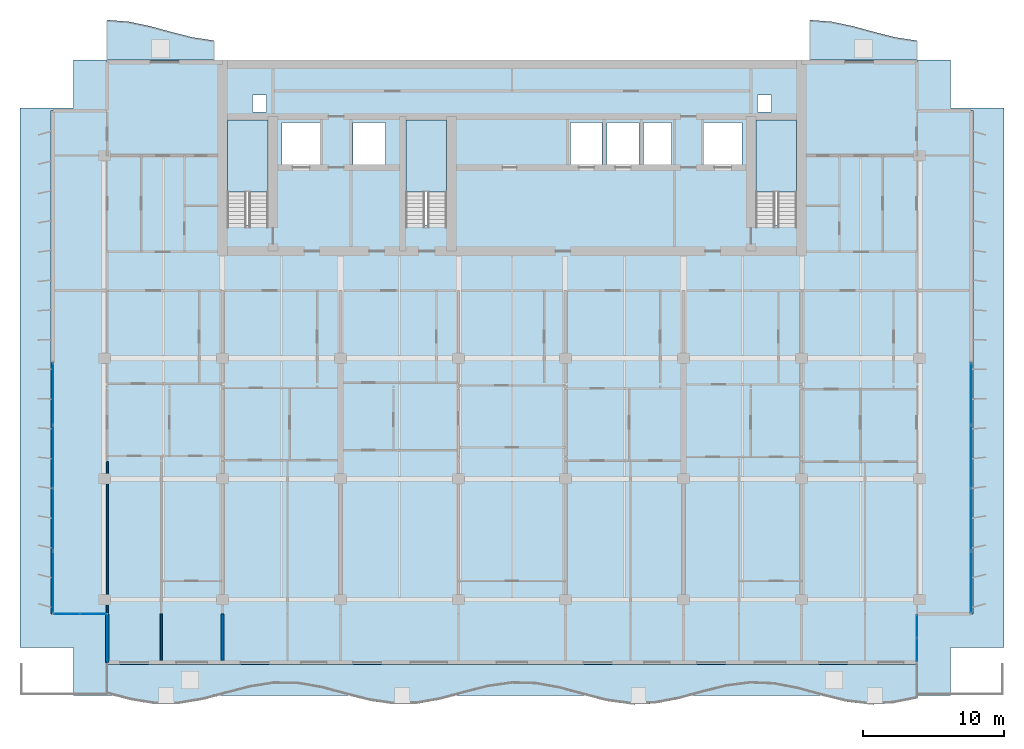
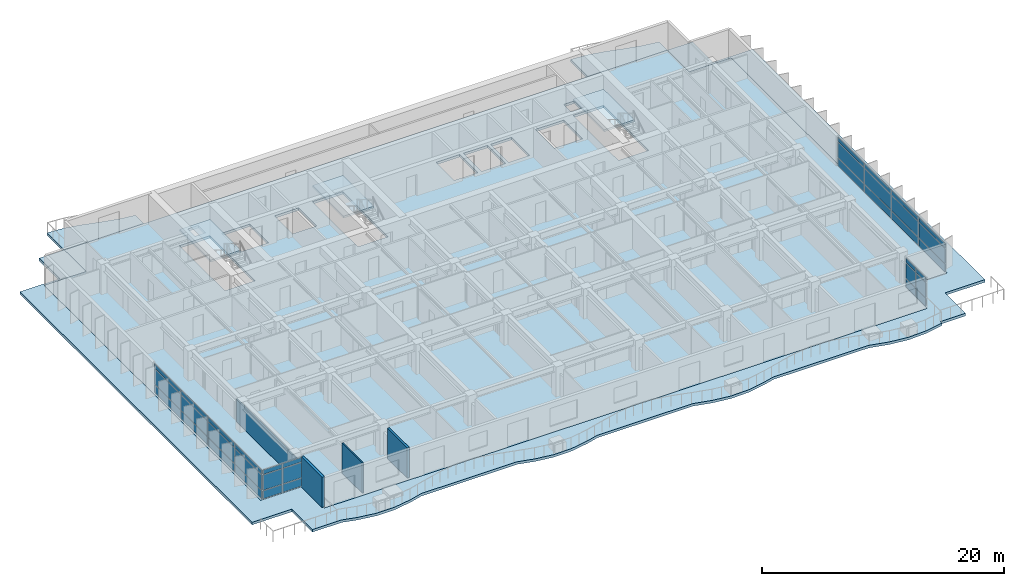
# One storey, part 6 of 17: 36 plates, 7 slabs, 4 walls, 7 elements without a shape of their own.
"""IFC4 building model written with IfcOpenShell, lengths in metres."""

from ifc_helpers import new_model, si_unit, direction, frame, frame_2d, origin, origin_2d, place, context, subcontext, project, spatial, polyline, rectangle, outline, extrude, material, layer, layer_set, type_object, element, aggregate, save


model = new_model("IFC4")

# Units and contexts
model_context = context("Model", 3, precision=1e-05, world=origin(), true_north=direction((0.0, 1.0)))
body_context = subcontext(model_context, "Body", "Model", "MODEL_VIEW")
ifc_project = project(units=[si_unit("LENGTHUNIT", "METRE"), si_unit("AREAUNIT", "SQUARE_METRE"), si_unit("VOLUMEUNIT", "CUBIC_METRE"), si_unit("PLANEANGLEUNIT", "RADIAN"), si_unit("MASSUNIT", "GRAM", prefix="KILO")], contexts=[model_context])

# Site, building, storey
site_placement = place(None, origin())
site = spatial("IfcSite", under=ifc_project, at=site_placement, CompositionType="ELEMENT")
building_placement = place(site_placement, origin())
building = spatial("IfcBuilding", under=site, at=building_placement, Name="Caelmar Bay Residences", CompositionType="ELEMENT")
storey_placement = place(building_placement, frame((0.0, 0.0, 157.199951171875)))
storey = spatial("IfcBuildingStorey", under=building, at=storey_placement, Name="L43", CompositionType="ELEMENT", Elevation=157.199951171875)

# Curtain wall, plates
ifc_material_1 = material(Name="Anodised bronze aluminium 6063-T6 and laminated glass", Category="aluminium")
ifc_layer_1 = layer(ifc_material_1, 0.179931640625)
ifc_layer_set_1 = layer_set([ifc_layer_1], Name="Anodised bronze aluminium 6063-T6 and laminated glass")
curtain_wall_type_1 = type_object("IfcCurtainWallType", Name="CW6-NTC", PredefinedType="NOTDEFINED", material=ifc_layer_set_1)
curtain_wall_1_placement = place(storey_placement, origin())
curtain_wall_1 = element("IfcCurtainWall", 1, at=curtain_wall_1_placement, inside=storey, type_object=curtain_wall_type_1, Name="CW6 curtain wall L43", PredefinedType="NOTDEFINED")
ifc_material_2 = material(Name="Bronze-tinted laminated low-E hurricane glass 28 mm", Category="glass")
ifc_layer_2 = layer(ifc_material_2, 0.028076171875)
ifc_layer_set_2 = layer_set([ifc_layer_2], Name="Bronze-tinted laminated low-E hurricane glass 28 mm")
plate_type = type_object("IfcPlateType", Name="CWP-GLZ28", PredefinedType="CURTAIN_PANEL", material=ifc_layer_set_2)
plate_1_placement = place(storey_placement, frame((7.232421875, 11.199951171875, 0.080078125), z_axis=(0.0, 0.0, 1.0), x_axis=(1.0, 0.0, 0.0)))
plate_1 = element("IfcPlate", 2, at=plate_1_placement, type_object=plate_type, Name="CW6 panel 1.1", PredefinedType="CURTAIN_PANEL", context=body_context, shape_type="SweptSolid", body=[
    extrude(rectangle(XDim=1.804931640625, YDim=0.028076171875, at=origin_2d()), origin(), (0.0, 0.0, 1.0), 0.780029296875),
])
plate_2_placement = place(storey_placement, frame((7.232421875, 11.199951171875, 0.93994140625), z_axis=(0.0, 0.0, 1.0), x_axis=(1.0, 0.0, 0.0)))
plate_2 = element("IfcPlate", 3, at=plate_2_placement, type_object=plate_type, Name="CW6 panel 1.2", PredefinedType="CURTAIN_PANEL", context=body_context, shape_type="SweptSolid", body=[
    extrude(rectangle(XDim=1.804931640625, YDim=0.028076171875, at=origin_2d()), origin(), (0.0, 0.0, 1.0), 1.52001953125),
])
plate_3_placement = place(storey_placement, frame((7.232421875, 11.199951171875, 2.5400390625), z_axis=(0.0, 0.0, 1.0), x_axis=(1.0, 0.0, 0.0)))
plate_3 = element("IfcPlate", 4, at=plate_3_placement, type_object=plate_type, Name="CW6 panel 1.3", PredefinedType="CURTAIN_PANEL", context=body_context, shape_type="SweptSolid", body=[
    extrude(rectangle(XDim=1.804931640625, YDim=0.028076171875, at=origin_2d()), origin(), (0.0, 0.0, 1.0), 0.429931640625),
])
plate_4_placement = place(storey_placement, frame((9.117431640625, 11.199951171875, 0.080078125), z_axis=(0.0, 0.0, 1.0), x_axis=(1.0, 0.0, 0.0)))
plate_4 = element("IfcPlate", 5, at=plate_4_placement, type_object=plate_type, Name="CW6 panel 2.1", PredefinedType="CURTAIN_PANEL", context=body_context, shape_type="SweptSolid", body=[
    extrude(rectangle(XDim=1.804931640625, YDim=0.028076171875, at=origin_2d()), origin(), (0.0, 0.0, 1.0), 0.780029296875),
])
plate_5_placement = place(storey_placement, frame((9.117431640625, 11.199951171875, 0.93994140625), z_axis=(0.0, 0.0, 1.0), x_axis=(1.0, 0.0, 0.0)))
plate_5 = element("IfcPlate", 6, at=plate_5_placement, type_object=plate_type, Name="CW6 panel 2.2", PredefinedType="CURTAIN_PANEL", context=body_context, shape_type="SweptSolid", body=[
    extrude(rectangle(XDim=1.804931640625, YDim=0.028076171875, at=origin_2d()), origin(), (0.0, 0.0, 1.0), 1.52001953125),
])
plate_6_placement = place(storey_placement, frame((9.117431640625, 11.199951171875, 2.5400390625), z_axis=(0.0, 0.0, 1.0), x_axis=(1.0, 0.0, 0.0)))
plate_6 = element("IfcPlate", 7, at=plate_6_placement, type_object=plate_type, Name="CW6 panel 2.3", PredefinedType="CURTAIN_PANEL", context=body_context, shape_type="SweptSolid", body=[
    extrude(rectangle(XDim=1.804931640625, YDim=0.028076171875, at=origin_2d()), origin(), (0.0, 0.0, 1.0), 0.429931640625),
])
aggregate(curtain_wall_1, [plate_1, plate_2, plate_3, plate_4, plate_5, plate_6])

curtain_wall_2_placement = place(storey_placement, origin())
curtain_wall_2 = element("IfcCurtainWall", 8, at=curtain_wall_2_placement, inside=storey, type_object=curtain_wall_type_1, Name="CW6 curtain wall L43", PredefinedType="NOTDEFINED")
plate_7_placement = place(storey_placement, frame((67.699951171875, 8.632568359375, 0.080078125), z_axis=(0.0, 0.0, 1.0), x_axis=(0.0, 1.0, 0.0)))
plate_7 = element("IfcPlate", 9, at=plate_7_placement, type_object=plate_type, Name="CW6 panel 1.1", PredefinedType="CURTAIN_PANEL", context=body_context, shape_type="SweptSolid", body=[
    extrude(rectangle(XDim=1.60498046875, YDim=0.028076171875, at=origin_2d()), origin(), (0.0, 0.0, 1.0), 0.780029296875),
])
plate_8_placement = place(storey_placement, frame((67.699951171875, 8.632568359375, 0.93994140625), z_axis=(0.0, 0.0, 1.0), x_axis=(0.0, 1.0, 0.0)))
plate_8 = element("IfcPlate", 10, at=plate_8_placement, type_object=plate_type, Name="CW6 panel 1.2", PredefinedType="CURTAIN_PANEL", context=body_context, shape_type="SweptSolid", body=[
    extrude(rectangle(XDim=1.60498046875, YDim=0.028076171875, at=origin_2d()), origin(), (0.0, 0.0, 1.0), 1.52001953125),
])
plate_9_placement = place(storey_placement, frame((67.699951171875, 8.632568359375, 2.5400390625), z_axis=(0.0, 0.0, 1.0), x_axis=(0.0, 1.0, 0.0)))
plate_9 = element("IfcPlate", 11, at=plate_9_placement, type_object=plate_type, Name="CW6 panel 1.3", PredefinedType="CURTAIN_PANEL", context=body_context, shape_type="SweptSolid", body=[
    extrude(rectangle(XDim=1.60498046875, YDim=0.028076171875, at=origin_2d()), origin(), (0.0, 0.0, 1.0), 0.429931640625),
])
plate_10_placement = place(storey_placement, frame((67.699951171875, 10.3173828125, 0.080078125), z_axis=(0.0, 0.0, 1.0), x_axis=(0.0, 1.0, 0.0)))
plate_10 = element("IfcPlate", 12, at=plate_10_placement, type_object=plate_type, Name="CW6 panel 2.1", PredefinedType="CURTAIN_PANEL", context=body_context, shape_type="SweptSolid", body=[
    extrude(rectangle(XDim=1.60498046875, YDim=0.028076171875, at=origin_2d()), origin(), (0.0, 0.0, 1.0), 0.780029296875),
])
plate_11_placement = place(storey_placement, frame((67.699951171875, 10.3173828125, 0.93994140625), z_axis=(0.0, 0.0, 1.0), x_axis=(0.0, 1.0, 0.0)))
plate_11 = element("IfcPlate", 13, at=plate_11_placement, type_object=plate_type, Name="CW6 panel 2.2", PredefinedType="CURTAIN_PANEL", context=body_context, shape_type="SweptSolid", body=[
    extrude(rectangle(XDim=1.60498046875, YDim=0.028076171875, at=origin_2d()), origin(), (0.0, 0.0, 1.0), 1.52001953125),
])
plate_12_placement = place(storey_placement, frame((67.699951171875, 10.3173828125, 2.5400390625), z_axis=(0.0, 0.0, 1.0), x_axis=(0.0, 1.0, 0.0)))
plate_12 = element("IfcPlate", 14, at=plate_12_placement, type_object=plate_type, Name="CW6 panel 2.3", PredefinedType="CURTAIN_PANEL", context=body_context, shape_type="SweptSolid", body=[
    extrude(rectangle(XDim=1.60498046875, YDim=0.028076171875, at=origin_2d()), origin(), (0.0, 0.0, 1.0), 0.429931640625),
])
aggregate(curtain_wall_2, [plate_7, plate_8, plate_9, plate_10, plate_11, plate_12])

ifc_layer_3 = layer(ifc_material_1, 0.179931640625)
ifc_layer_set_3 = layer_set([ifc_layer_3], Name="Anodised bronze aluminium 6063-T6 and laminated glass")
curtain_wall_type_2 = type_object("IfcCurtainWallType", Name="CW4-Z3", PredefinedType="NOTDEFINED", material=ifc_layer_set_3)
curtain_wall_3_placement = place(storey_placement, origin())
curtain_wall_3 = element("IfcCurtainWall", 15, at=curtain_wall_3_placement, inside=storey, type_object=curtain_wall_type_2, Name="CW4 curtain wall L43", PredefinedType="NOTDEFINED")
plate_13_placement = place(storey_placement, frame((6.25, 13.45751953125, 0.080078125), z_axis=(0.0, 0.0, 1.0), x_axis=(0.0, 1.0, 0.0)))
plate_13 = element("IfcPlate", 16, at=plate_13_placement, type_object=plate_type, Name="CW4 panel 1.1", PredefinedType="CURTAIN_PANEL", context=body_context, shape_type="SweptSolid", body=[
    extrude(rectangle(XDim=4.35498046875, YDim=0.028076171875, at=origin_2d()), origin(), (0.0, 0.0, 1.0), 0.780029296875),
])
plate_14_placement = place(storey_placement, frame((6.25, 13.45751953125, 0.93994140625), z_axis=(0.0, 0.0, 1.0), x_axis=(0.0, 1.0, 0.0)))
plate_14 = element("IfcPlate", 17, at=plate_14_placement, type_object=plate_type, Name="CW4 panel 1.2", PredefinedType="CURTAIN_PANEL", context=body_context, shape_type="SweptSolid", body=[
    extrude(rectangle(XDim=4.35498046875, YDim=0.028076171875, at=origin_2d()), origin(), (0.0, 0.0, 1.0), 1.52001953125),
])
plate_15_placement = place(storey_placement, frame((6.25, 13.45751953125, 2.5400390625), z_axis=(0.0, 0.0, 1.0), x_axis=(0.0, 1.0, 0.0)))
plate_15 = element("IfcPlate", 18, at=plate_15_placement, type_object=plate_type, Name="CW4 panel 1.3", PredefinedType="CURTAIN_PANEL", context=body_context, shape_type="SweptSolid", body=[
    extrude(rectangle(XDim=4.35498046875, YDim=0.028076171875, at=origin_2d()), origin(), (0.0, 0.0, 1.0), 0.429931640625),
])
plate_16_placement = place(storey_placement, frame((6.25, 17.91259765625, 0.080078125), z_axis=(0.0, 0.0, 1.0), x_axis=(0.0, 1.0, 0.0)))
plate_16 = element("IfcPlate", 19, at=plate_16_placement, type_object=plate_type, Name="CW4 panel 2.1", PredefinedType="CURTAIN_PANEL", context=body_context, shape_type="SweptSolid", body=[
    extrude(rectangle(XDim=4.39501953125, YDim=0.028076171875, at=origin_2d()), origin(), (0.0, 0.0, 1.0), 0.780029296875),
])
plate_17_placement = place(storey_placement, frame((6.25, 17.91259765625, 0.93994140625), z_axis=(0.0, 0.0, 1.0), x_axis=(0.0, 1.0, 0.0)))
plate_17 = element("IfcPlate", 20, at=plate_17_placement, type_object=plate_type, Name="CW4 panel 2.2", PredefinedType="CURTAIN_PANEL", context=body_context, shape_type="SweptSolid", body=[
    extrude(rectangle(XDim=4.39501953125, YDim=0.028076171875, at=origin_2d()), origin(), (0.0, 0.0, 1.0), 1.52001953125),
])
plate_18_placement = place(storey_placement, frame((6.25, 17.91259765625, 2.5400390625), z_axis=(0.0, 0.0, 1.0), x_axis=(0.0, 1.0, 0.0)))
plate_18 = element("IfcPlate", 21, at=plate_18_placement, type_object=plate_type, Name="CW4 panel 2.3", PredefinedType="CURTAIN_PANEL", context=body_context, shape_type="SweptSolid", body=[
    extrude(rectangle(XDim=4.39501953125, YDim=0.028076171875, at=origin_2d()), origin(), (0.0, 0.0, 1.0), 0.429931640625),
])
plate_19_placement = place(storey_placement, frame((6.25, 22.387451171875, 0.080078125), z_axis=(0.0, 0.0, 1.0), x_axis=(0.0, 1.0, 0.0)))
plate_19 = element("IfcPlate", 22, at=plate_19_placement, type_object=plate_type, Name="CW4 panel 3.1", PredefinedType="CURTAIN_PANEL", context=body_context, shape_type="SweptSolid", body=[
    extrude(rectangle(XDim=4.39501953125, YDim=0.028076171875, at=origin_2d()), origin(), (0.0, 0.0, 1.0), 0.780029296875),
])
plate_20_placement = place(storey_placement, frame((6.25, 22.387451171875, 0.93994140625), z_axis=(0.0, 0.0, 1.0), x_axis=(0.0, 1.0, 0.0)))
plate_20 = element("IfcPlate", 23, at=plate_20_placement, type_object=plate_type, Name="CW4 panel 3.2", PredefinedType="CURTAIN_PANEL", context=body_context, shape_type="SweptSolid", body=[
    extrude(rectangle(XDim=4.39501953125, YDim=0.028076171875, at=origin_2d()), origin(), (0.0, 0.0, 1.0), 1.52001953125),
])
plate_21_placement = place(storey_placement, frame((6.25, 22.387451171875, 2.5400390625), z_axis=(0.0, 0.0, 1.0), x_axis=(0.0, 1.0, 0.0)))
plate_21 = element("IfcPlate", 24, at=plate_21_placement, type_object=plate_type, Name="CW4 panel 3.3", PredefinedType="CURTAIN_PANEL", context=body_context, shape_type="SweptSolid", body=[
    extrude(rectangle(XDim=4.39501953125, YDim=0.028076171875, at=origin_2d()), origin(), (0.0, 0.0, 1.0), 0.429931640625),
])
plate_22_placement = place(storey_placement, frame((6.25, 26.842529296875, 0.080078125), z_axis=(0.0, 0.0, 1.0), x_axis=(0.0, 1.0, 0.0)))
plate_22 = element("IfcPlate", 25, at=plate_22_placement, type_object=plate_type, Name="CW4 panel 4.1", PredefinedType="CURTAIN_PANEL", context=body_context, shape_type="SweptSolid", body=[
    extrude(rectangle(XDim=4.35498046875, YDim=0.028076171875, at=origin_2d()), origin(), (0.0, 0.0, 1.0), 0.780029296875),
])
plate_23_placement = place(storey_placement, frame((6.25, 26.842529296875, 0.93994140625), z_axis=(0.0, 0.0, 1.0), x_axis=(0.0, 1.0, 0.0)))
plate_23 = element("IfcPlate", 26, at=plate_23_placement, type_object=plate_type, Name="CW4 panel 4.2", PredefinedType="CURTAIN_PANEL", context=body_context, shape_type="SweptSolid", body=[
    extrude(rectangle(XDim=4.35498046875, YDim=0.028076171875, at=origin_2d()), origin(), (0.0, 0.0, 1.0), 1.52001953125),
])
plate_24_placement = place(storey_placement, frame((6.25, 26.842529296875, 2.5400390625), z_axis=(0.0, 0.0, 1.0), x_axis=(0.0, 1.0, 0.0)))
plate_24 = element("IfcPlate", 27, at=plate_24_placement, type_object=plate_type, Name="CW4 panel 4.3", PredefinedType="CURTAIN_PANEL", context=body_context, shape_type="SweptSolid", body=[
    extrude(rectangle(XDim=4.35498046875, YDim=0.028076171875, at=origin_2d()), origin(), (0.0, 0.0, 1.0), 0.429931640625),
])
aggregate(curtain_wall_3, [plate_13, plate_14, plate_15, plate_16, plate_17, plate_18, plate_19, plate_20, plate_21, plate_22, plate_23, plate_24])

curtain_wall_4_placement = place(storey_placement, origin())
curtain_wall_4 = element("IfcCurtainWall", 28, at=curtain_wall_4_placement, inside=storey, type_object=curtain_wall_type_2, Name="CW4 curtain wall L43", PredefinedType="NOTDEFINED")
plate_25_placement = place(storey_placement, frame((71.550048828125, 26.842529296875, 0.080078125), z_axis=(0.0, 0.0, 1.0), x_axis=(0.0, -1.0, 0.0)))
plate_25 = element("IfcPlate", 29, at=plate_25_placement, type_object=plate_type, Name="CW4 panel 1.1", PredefinedType="CURTAIN_PANEL", context=body_context, shape_type="SweptSolid", body=[
    extrude(rectangle(XDim=4.35498046875, YDim=0.028076171875, at=origin_2d()), origin(), (0.0, 0.0, 1.0), 0.780029296875),
])
plate_26_placement = place(storey_placement, frame((71.550048828125, 26.842529296875, 0.93994140625), z_axis=(0.0, 0.0, 1.0), x_axis=(0.0, -1.0, 0.0)))
plate_26 = element("IfcPlate", 30, at=plate_26_placement, type_object=plate_type, Name="CW4 panel 1.2", PredefinedType="CURTAIN_PANEL", context=body_context, shape_type="SweptSolid", body=[
    extrude(rectangle(XDim=4.35498046875, YDim=0.028076171875, at=origin_2d()), origin(), (0.0, 0.0, 1.0), 1.52001953125),
])
plate_27_placement = place(storey_placement, frame((71.550048828125, 26.842529296875, 2.5400390625), z_axis=(0.0, 0.0, 1.0), x_axis=(0.0, -1.0, 0.0)))
plate_27 = element("IfcPlate", 31, at=plate_27_placement, type_object=plate_type, Name="CW4 panel 1.3", PredefinedType="CURTAIN_PANEL", context=body_context, shape_type="SweptSolid", body=[
    extrude(rectangle(XDim=4.35498046875, YDim=0.028076171875, at=origin_2d()), origin(), (0.0, 0.0, 1.0), 0.429931640625),
])
plate_28_placement = place(storey_placement, frame((71.550048828125, 22.387451171875, 0.080078125), z_axis=(0.0, 0.0, 1.0), x_axis=(0.0, -1.0, 0.0)))
plate_28 = element("IfcPlate", 32, at=plate_28_placement, type_object=plate_type, Name="CW4 panel 2.1", PredefinedType="CURTAIN_PANEL", context=body_context, shape_type="SweptSolid", body=[
    extrude(rectangle(XDim=4.39501953125, YDim=0.028076171875, at=origin_2d()), origin(), (0.0, 0.0, 1.0), 0.780029296875),
])
plate_29_placement = place(storey_placement, frame((71.550048828125, 22.387451171875, 0.93994140625), z_axis=(0.0, 0.0, 1.0), x_axis=(0.0, -1.0, 0.0)))
plate_29 = element("IfcPlate", 33, at=plate_29_placement, type_object=plate_type, Name="CW4 panel 2.2", PredefinedType="CURTAIN_PANEL", context=body_context, shape_type="SweptSolid", body=[
    extrude(rectangle(XDim=4.39501953125, YDim=0.028076171875, at=origin_2d()), origin(), (0.0, 0.0, 1.0), 1.52001953125),
])
plate_30_placement = place(storey_placement, frame((71.550048828125, 22.387451171875, 2.5400390625), z_axis=(0.0, 0.0, 1.0), x_axis=(0.0, -1.0, 0.0)))
plate_30 = element("IfcPlate", 34, at=plate_30_placement, type_object=plate_type, Name="CW4 panel 2.3", PredefinedType="CURTAIN_PANEL", context=body_context, shape_type="SweptSolid", body=[
    extrude(rectangle(XDim=4.39501953125, YDim=0.028076171875, at=origin_2d()), origin(), (0.0, 0.0, 1.0), 0.429931640625),
])
plate_31_placement = place(storey_placement, frame((71.550048828125, 17.91259765625, 0.080078125), z_axis=(0.0, 0.0, 1.0), x_axis=(0.0, -1.0, 0.0)))
plate_31 = element("IfcPlate", 35, at=plate_31_placement, type_object=plate_type, Name="CW4 panel 3.1", PredefinedType="CURTAIN_PANEL", context=body_context, shape_type="SweptSolid", body=[
    extrude(rectangle(XDim=4.39501953125, YDim=0.028076171875, at=origin_2d()), origin(), (0.0, 0.0, 1.0), 0.780029296875),
])
plate_32_placement = place(storey_placement, frame((71.550048828125, 17.91259765625, 0.93994140625), z_axis=(0.0, 0.0, 1.0), x_axis=(0.0, -1.0, 0.0)))
plate_32 = element("IfcPlate", 36, at=plate_32_placement, type_object=plate_type, Name="CW4 panel 3.2", PredefinedType="CURTAIN_PANEL", context=body_context, shape_type="SweptSolid", body=[
    extrude(rectangle(XDim=4.39501953125, YDim=0.028076171875, at=origin_2d()), origin(), (0.0, 0.0, 1.0), 1.52001953125),
])
plate_33_placement = place(storey_placement, frame((71.550048828125, 17.91259765625, 2.5400390625), z_axis=(0.0, 0.0, 1.0), x_axis=(0.0, -1.0, 0.0)))
plate_33 = element("IfcPlate", 37, at=plate_33_placement, type_object=plate_type, Name="CW4 panel 3.3", PredefinedType="CURTAIN_PANEL", context=body_context, shape_type="SweptSolid", body=[
    extrude(rectangle(XDim=4.39501953125, YDim=0.028076171875, at=origin_2d()), origin(), (0.0, 0.0, 1.0), 0.429931640625),
])
plate_34_placement = place(storey_placement, frame((71.550048828125, 13.45751953125, 0.080078125), z_axis=(0.0, 0.0, 1.0), x_axis=(0.0, -1.0, 0.0)))
plate_34 = element("IfcPlate", 38, at=plate_34_placement, type_object=plate_type, Name="CW4 panel 4.1", PredefinedType="CURTAIN_PANEL", context=body_context, shape_type="SweptSolid", body=[
    extrude(rectangle(XDim=4.35498046875, YDim=0.028076171875, at=origin_2d()), origin(), (0.0, 0.0, 1.0), 0.780029296875),
])
plate_35_placement = place(storey_placement, frame((71.550048828125, 13.45751953125, 0.93994140625), z_axis=(0.0, 0.0, 1.0), x_axis=(0.0, -1.0, 0.0)))
plate_35 = element("IfcPlate", 39, at=plate_35_placement, type_object=plate_type, Name="CW4 panel 4.2", PredefinedType="CURTAIN_PANEL", context=body_context, shape_type="SweptSolid", body=[
    extrude(rectangle(XDim=4.35498046875, YDim=0.028076171875, at=origin_2d()), origin(), (0.0, 0.0, 1.0), 1.52001953125),
])
plate_36_placement = place(storey_placement, frame((71.550048828125, 13.45751953125, 2.5400390625), z_axis=(0.0, 0.0, 1.0), x_axis=(0.0, -1.0, 0.0)))
plate_36 = element("IfcPlate", 40, at=plate_36_placement, type_object=plate_type, Name="CW4 panel 4.3", PredefinedType="CURTAIN_PANEL", context=body_context, shape_type="SweptSolid", body=[
    extrude(rectangle(XDim=4.35498046875, YDim=0.028076171875, at=origin_2d()), origin(), (0.0, 0.0, 1.0), 0.429931640625),
])
aggregate(curtain_wall_4, [plate_25, plate_26, plate_27, plate_28, plate_29, plate_30, plate_31, plate_32, plate_33, plate_34, plate_35, plate_36])

# Stair, slab
ifc_material_3 = material(Name="Concrete f'c 40 MPa (6,000 psi)", Category="concrete")
stair_type = type_object("IfcStairType", Name="ST-TYP-165", PredefinedType="HALF_TURN_STAIR", material=ifc_material_3)
stair_1_placement = place(storey_placement, origin())
stair_1 = element("IfcStair", 41, at=stair_1_placement, inside=storey, type_object=stair_type, Name="L43 West Smokeproof Exit Stair ST1", PredefinedType="HALF_TURN_STAIR")
ifc_layer_4 = layer(ifc_material_3, 0.199951171875)
ifc_layer_set_4 = layer_set([ifc_layer_4], Name="Concrete f'c 40 MPa (6,000 psi)")
slab_type_1 = type_object("IfcSlabType", Name="SLB-LND-200", PredefinedType="LANDING", material=ifc_layer_set_4)
slab_1_placement = place(storey_placement, frame((0.0, 0.0, 1.449951171875)))
slab_1 = element("IfcSlab", 42, at=slab_1_placement, type_object=slab_type_1, Name="ST1 landing 1", PredefinedType="LANDING", context=body_context, shape_type="SweptSolid", body=[
    extrude(outline(polyline([(21.550048828125, 41.219970703125), (21.550048828125, 46.35009765625), (18.64990234375, 46.35009765625), (18.64990234375, 41.219970703125), (21.550048828125, 41.219970703125)])), origin(), (0.0, 0.0, 1.0), 0.2001953125),
])
aggregate(stair_1, [slab_1])

stair_2_placement = place(storey_placement, origin())
stair_2 = element("IfcStair", 43, at=stair_2_placement, inside=storey, type_object=stair_type, Name="L43 East Smokeproof Exit Stair ST2", PredefinedType="HALF_TURN_STAIR")
slab_2_placement = place(storey_placement, frame((0.0, 0.0, 1.449951171875)))
slab_2 = element("IfcSlab", 44, at=slab_2_placement, type_object=slab_type_1, Name="ST2 landing 1", PredefinedType="LANDING", context=body_context, shape_type="SweptSolid", body=[
    extrude(outline(polyline([(59.14990234375, 41.219970703125), (59.14990234375, 46.35009765625), (56.25, 46.35009765625), (56.25, 41.219970703125), (59.14990234375, 41.219970703125)])), origin(), (0.0, 0.0, 1.0), 0.2001953125),
])
aggregate(stair_2, [slab_2])

stair_3_placement = place(storey_placement, origin())
stair_3 = element("IfcStair", 45, at=stair_3_placement, inside=storey, type_object=stair_type, Name="L43 Central Smokeproof Exit Stair ST3", PredefinedType="HALF_TURN_STAIR")
slab_3_placement = place(storey_placement, frame((0.0, 0.0, 1.449951171875)))
slab_3 = element("IfcSlab", 46, at=slab_3_placement, type_object=slab_type_1, Name="ST3 landing 1", PredefinedType="LANDING", context=body_context, shape_type="SweptSolid", body=[
    extrude(outline(polyline([(34.25, 41.219970703125), (34.25, 46.35009765625), (31.35009765625, 46.35009765625), (31.35009765625, 41.219970703125), (34.25, 41.219970703125)])), origin(), (0.0, 0.0, 1.0), 0.2001953125),
])
aggregate(stair_3, [slab_3])

# Slabs
ifc_layer_5 = layer(ifc_material_3, 0.25)
ifc_layer_set_5 = layer_set([ifc_layer_5], Name="Concrete f'c 40 MPa (6,000 psi)")
slab_type_2 = type_object("IfcSlabType", Name="SLB-RES-250", PredefinedType="FLOOR", material=ifc_layer_set_5)
slab_4_placement = place(storey_placement, frame((0.0, 0.0, -0.25)))
element("IfcSlab", 47, at=slab_4_placement, inside=storey, type_object=slab_type_2, Name="L43 Structural Floor Slab", PredefinedType="FLOOR", context=body_context, shape_type="SweptSolid", body=[
    extrude(outline(polyline([(10.10009765625, 7.60009765625), (67.699951171875, 7.60009765625), (67.699951171875, 11.199951171875), (71.699951171875, 11.199951171875), (71.699951171875, 47.0), (67.699951171875, 47.0), (67.699951171875, 50.60009765625), (10.10009765625, 50.60009765625), (10.10009765625, 47.0), (6.10009765625, 47.0), (6.10009765625, 11.199951171875), (10.10009765625, 11.199951171875), (10.10009765625, 7.60009765625)]), holes=[polyline([(18.64990234375, 38.85009765625), (21.550048828125, 38.85009765625), (21.550048828125, 46.35009765625), (18.64990234375, 46.35009765625), (18.64990234375, 38.85009765625)]), polyline([(56.25, 38.85009765625), (59.14990234375, 38.85009765625), (59.14990234375, 46.35009765625), (56.25, 46.35009765625), (56.25, 38.85009765625)]), polyline([(31.35009765625, 38.85009765625), (34.25, 38.85009765625), (34.25, 46.35009765625), (31.35009765625, 46.35009765625), (31.35009765625, 38.85009765625)]), polyline([(22.550048828125, 43.050048828125), (25.25, 43.050048828125), (25.25, 46.14990234375), (22.550048828125, 46.14990234375), (22.550048828125, 43.050048828125)]), polyline([(52.550048828125, 43.050048828125), (55.25, 43.050048828125), (55.25, 46.14990234375), (52.550048828125, 46.14990234375), (52.550048828125, 43.050048828125)]), polyline([(43.050048828125, 43.14990234375), (45.300048828125, 43.14990234375), (45.300048828125, 46.14990234375), (43.050048828125, 46.14990234375), (43.050048828125, 43.14990234375)]), polyline([(45.64990234375, 43.14990234375), (47.949951171875, 43.14990234375), (47.949951171875, 46.14990234375), (45.64990234375, 46.14990234375), (45.64990234375, 43.14990234375)]), polyline([(48.25, 43.14990234375), (50.25, 43.14990234375), (50.25, 46.14990234375), (48.25, 46.14990234375), (48.25, 43.14990234375)]), polyline([(27.60009765625, 43.14990234375), (29.89990234375, 43.14990234375), (29.89990234375, 46.14990234375), (27.60009765625, 46.14990234375), (27.60009765625, 43.14990234375)]), polyline([(20.449951171875, 46.89990234375), (21.449951171875, 46.89990234375), (21.449951171875, 48.10009765625), (20.449951171875, 48.10009765625), (20.449951171875, 46.89990234375)]), polyline([(56.35009765625, 46.89990234375), (57.35009765625, 46.89990234375), (57.35009765625, 48.10009765625), (56.35009765625, 48.10009765625), (56.35009765625, 46.89990234375)])]), origin(), (0.0, 0.0, 1.0), 0.25),
])
ifc_layer_6 = layer(ifc_material_3, 0.260009765625)
ifc_layer_set_6 = layer_set([ifc_layer_6], Name="Concrete f'c 40 MPa (6,000 psi)")
slab_type_3 = type_object("IfcSlabType", Name="SLB-TER-260", PredefinedType="ROOF", material=ifc_layer_set_6)
slab_5_placement = place(storey_placement, frame((0.0, 0.0, -0.260009765625)))
element("IfcSlab", 48, at=slab_5_placement, inside=storey, type_object=slab_type_3, Name="L43 Exterior Stepped Terrace Roof Slab 1", PredefinedType="ROOF", context=body_context, shape_type="SweptSolid", body=[
    extrude(outline(polyline([(15.182373046875, 4.79052734375), (16.87646484375, 5.072021484375), (18.1171875, 5.39990234375), (27.27587890625, 5.39990234375), (28.7353515625, 5.024658203125), (30.429443359375, 4.7734375), (32.12353515625, 4.80419921875), (33.817626953125, 5.105224609375), (34.91748046875, 5.39990234375), (44.0654296875, 5.39990234375), (45.676513671875, 4.99462890625), (47.37060546875, 4.7646484375), (49.064697265625, 4.820068359375), (50.7587890625, 5.139404296875), (51.719970703125, 5.39990234375), (60.856201171875, 5.39990234375), (60.923583984375, 5.381591796875), (62.61767578125, 4.96630859375), (64.311767578125, 4.7578125), (66.005859375, 4.837646484375), (67.699951171875, 5.174560546875), (67.699951171875, 5.39990234375), (70.10009765625, 5.39990234375), (70.10009765625, 8.800048828125), (73.89990234375, 8.800048828125), (73.89990234375, 47.199951171875), (70.10009765625, 47.199951171875), (70.10009765625, 50.60009765625), (67.699951171875, 50.60009765625), (67.699951171875, 47.0), (71.699951171875, 47.0), (71.699951171875, 11.199951171875), (67.699951171875, 11.199951171875), (67.699951171875, 7.60009765625), (10.10009765625, 7.60009765625), (10.10009765625, 11.199951171875), (6.10009765625, 11.199951171875), (6.10009765625, 47.0), (10.10009765625, 47.0), (10.10009765625, 50.60009765625), (7.699951171875, 50.60009765625), (7.699951171875, 47.199951171875), (3.89990234375, 47.199951171875), (3.89990234375, 8.800048828125), (7.699951171875, 8.800048828125), (7.699951171875, 5.39990234375), (10.481689453125, 5.39990234375), (11.794189453125, 5.055908203125), (13.48828125, 4.7841796875), (15.182373046875, 4.79052734375)])), origin(), (0.0, 0.0, 1.0), 0.260009765625),
])
slab_6_placement = place(storey_placement, frame((0.0, 0.0, -0.260009765625)))
element("IfcSlab", 49, at=slab_6_placement, inside=storey, type_object=slab_type_3, Name="L43 Exterior Stepped Terrace Roof Slab 2", PredefinedType="ROOF", context=body_context, shape_type="SweptSolid", body=[
    extrude(outline(polyline([(10.10009765625, 50.60009765625), (17.699951171875, 50.60009765625), (17.699951171875, 51.9833984375), (16.179931640625, 52.215087890625), (14.659912109375, 52.599365234375), (13.139892578125, 53.015380859375), (11.6201171875, 53.33203125), (10.10009765625, 53.449951171875), (10.10009765625, 50.60009765625)])), origin(), (0.0, 0.0, 1.0), 0.260009765625),
])
slab_7_placement = place(storey_placement, frame((0.0, 0.0, -0.260009765625)))
element("IfcSlab", 50, at=slab_7_placement, inside=storey, type_object=slab_type_3, Name="L43 Exterior Stepped Terrace Roof Slab 3", PredefinedType="ROOF", context=body_context, shape_type="SweptSolid", body=[
    extrude(outline(polyline([(60.10009765625, 50.60009765625), (67.699951171875, 50.60009765625), (67.699951171875, 51.9833984375), (66.179931640625, 52.215087890625), (64.659912109375, 52.599365234375), (63.139892578125, 53.015380859375), (61.6201171875, 53.33203125), (60.10009765625, 53.449951171875), (60.10009765625, 50.60009765625)])), origin(), (0.0, 0.0, 1.0), 0.260009765625),
])

# Walls
ifc_material_4 = material(Name="Precast concrete f'c 40 MPa (6,000 psi)", Category="concrete")
ifc_layer_7 = layer(ifc_material_4, 0.25)
ifc_layer_set_7 = layer_set([ifc_layer_7], Name="Precast concrete f'c 40 MPa (6,000 psi)")
wall_type_1 = type_object("IfcWallType", Name="W-EXT-250", PredefinedType="ELEMENTEDWALL", material=ifc_layer_set_7)
wall_1_placement = place(storey_placement, frame((10.10009765625, 11.199951171875, 0.0), z_axis=(0.0, 0.0, 1.0), x_axis=(0.0, -1.0, 0.0)))
element("IfcWall", 51, at=wall_1_placement, inside=storey, type_object=wall_type_1, Name="L43 SW Notch Return Wall", PredefinedType="ELEMENTEDWALL", context=body_context, shape_type="SweptSolid", body=[
    extrude(rectangle(XDim=3.449951171875, YDim=0.25, at=frame_2d((1.72509765625, 0.0))), origin(), (0.0, 0.0, 1.0), 3.050048828125),
])
ifc_material_5 = material(Name="Acoustic metal-stud gypsum partition 120 mm")
ifc_layer_8 = layer(ifc_material_5, 0.1201171875)
ifc_layer_set_8 = layer_set([ifc_layer_8], Name="Acoustic metal-stud gypsum partition 120 mm")
wall_type_2 = type_object("IfcWallType", Name="W-PRT-120", PredefinedType="PARTITIONING", material=ifc_layer_set_8)
wall_2_placement = place(storey_placement, frame((10.10009765625, 11.284912109375, 0.0), z_axis=(0.0, 0.0, 1.0), x_axis=(0.0, 1.0, 0.0)))
element("IfcWall", 52, at=wall_2_placement, inside=storey, type_object=wall_type_2, Name="L43 Partition Wall V001", PredefinedType="PARTITIONING", context=body_context, shape_type="SweptSolid", body=[
    extrude(rectangle(XDim=10.7451171875, YDim=0.1201171875, at=frame_2d((5.37255859375, 0.0))), origin(), (0.0, 0.0, 1.0), 2.262939453125),
])
wall_3_placement = place(storey_placement, frame((13.9541015625, 7.89501953125, 0.0), z_axis=(0.0, 0.0, 1.0), x_axis=(0.0, 1.0, 0.0)))
element("IfcWall", 53, at=wall_3_placement, inside=storey, type_object=wall_type_2, Name="L43 Partition Wall V010", PredefinedType="PARTITIONING", context=body_context, shape_type="SweptSolid", body=[
    extrude(rectangle(XDim=3.304931640625, YDim=0.1201171875, at=frame_2d((1.65234375, 0.0))), origin(), (0.0, 0.0, 1.0), 3.050048828125),
])
ifc_material_6 = material(Name="Acoustic twin-stud fire-rated inter-tenancy partition 200 mm")
ifc_layer_9 = layer(ifc_material_6, 0.199951171875)
ifc_layer_set_9 = layer_set([ifc_layer_9], Name="Acoustic twin-stud fire-rated inter-tenancy partition 200 mm")
wall_type_3 = type_object("IfcWallType", Name="W-PTY-200", PredefinedType="PARTITIONING", material=ifc_layer_set_9)
wall_4_placement = place(storey_placement, frame((18.300048828125, 7.89501953125, 0.0), z_axis=(0.0, 0.0, 1.0), x_axis=(0.0, 1.0, 0.0)))
element("IfcWall", 54, at=wall_4_placement, inside=storey, type_object=wall_type_3, Name="L43 Partition Wall V017", PredefinedType="PARTITIONING", context=body_context, shape_type="SweptSolid", body=[
    extrude(rectangle(XDim=3.304931640625, YDim=0.199951171875, at=frame_2d((1.65234375, 0.0))), origin(), (0.0, 0.0, 1.0), 3.050048828125),
])

save(model, "model.ifc")
